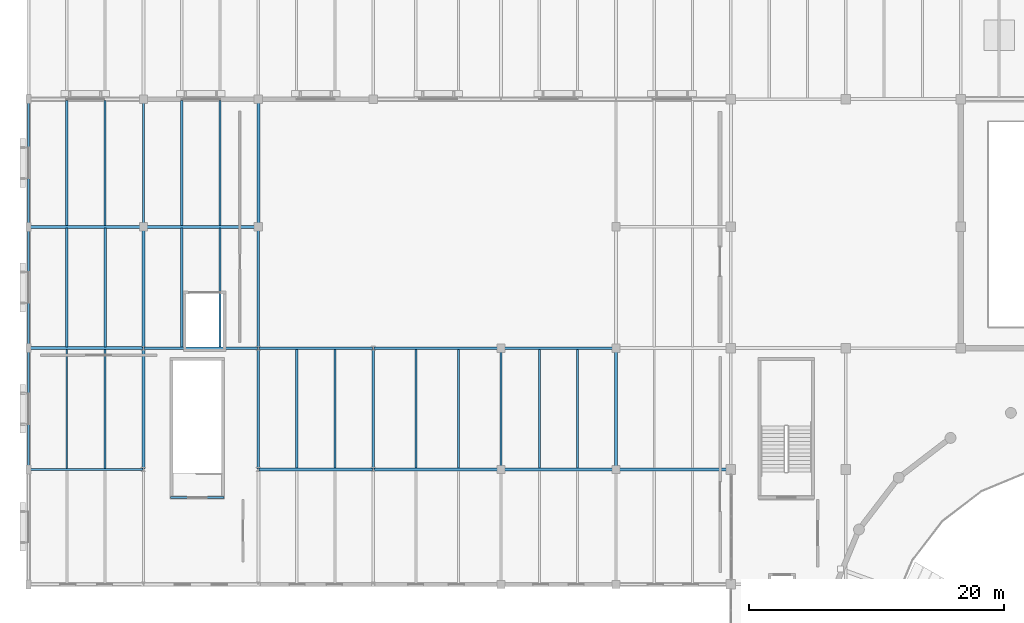
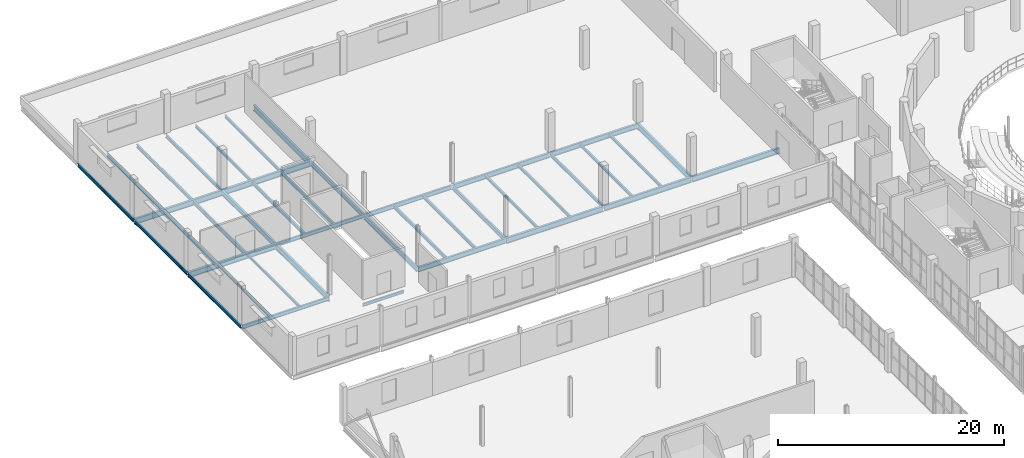
# One storey, part 38 of 85: 41 beams.
"""IFC4 building model written with IfcOpenShell, lengths in metres."""

import ifcopenshell
import ifcopenshell.guid

model = None  # the IFC model being written
_history = None  # IfcOwnerHistory: only IFC2X3 demands one
_inside = {}  # id of a spatial element -> (the spatial element, [elements in it])
_under = {}  # id of a project, library or spatial element -> (it, [spatial elements below it])
_declared = {}  # id of a project -> (the project, [libraries it declares])
_typed = {}  # id of a type object -> (the type object, [elements of that type])
_made_of = {}  # id of a material, layer set ... -> (it, [elements and type objects made of it])


def new_model(schema):
    """Start an empty IFC model of exactly this schema.

    Asked for "IFC4X3", IfcOpenShell would pick the latest addendum, in which some entities
    have other attributes; the version numbers below select the first issue.
    IFC2X3 requires an IfcOwnerHistory on every rooted entity: one is made here for all.
    """
    global model, _history
    if schema == "IFC4X3":
        model = ifcopenshell.file(schema_version=(4, 3, 0, 0))
    else:
        model = ifcopenshell.file(schema=schema)
    _inside.clear()
    _under.clear()
    _declared.clear()
    _typed.clear()
    _made_of.clear()
    _history = None
    if model.schema == "IFC2X3":
        org = make("IfcOrganization", Name="unknown")
        user = make(
            "IfcPersonAndOrganization",
            ThePerson=make("IfcPerson", FamilyName="unknown"),
            TheOrganization=org,
        )
        app = make(
            "IfcApplication",
            ApplicationDeveloper=org,
            Version="unknown",
            ApplicationFullName="unknown",
            ApplicationIdentifier="unknown",
        )
        _history = make(
            "IfcOwnerHistory",
            OwningUser=user,
            OwningApplication=app,
            ChangeAction="ADDED",
            CreationDate=0,
        )
    return model


def make(cls, **values):
    """One entity of the class cls with the attributes given. An attribute that is None is left unset."""
    return model.create_entity(
        cls, **{name: value for name, value in values.items() if value is not None}
    )


def rooted(cls, **values):
    """An entity with a GlobalId (a new one), such as an element, a storey or a relation."""
    return make(cls, GlobalId=ifcopenshell.guid.new(), OwnerHistory=_history, **values)


def si_unit(unit_type, name, prefix=None):
    """IfcSIUnit, for example si_unit("LENGTHUNIT", "METRE", prefix="MILLI")."""
    return make("IfcSIUnit", UnitType=unit_type, Prefix=prefix, Name=name)


def assignment(units):
    """IfcUnitAssignment: the units of a project."""
    return None if units is None else make("IfcUnitAssignment", Units=units)


def point(xyz):
    """IfcCartesianPoint."""
    return None if xyz is None else make("IfcCartesianPoint", Coordinates=xyz)


def direction(xyz):
    """IfcDirection."""
    return None if xyz is None else make("IfcDirection", DirectionRatios=xyz)


def frame(location, z_axis=None, x_axis=None):
    """IfcAxis2Placement3D, a coordinate frame: its origin and axes. An axis left out is left unset."""
    return make(
        "IfcAxis2Placement3D",
        Location=point(location),
        Axis=direction(z_axis),
        RefDirection=direction(x_axis),
    )


def frame_2d(location, x_axis=None):
    """IfcAxis2Placement2D, a coordinate frame in the plane: its origin and x axis."""
    return make(
        "IfcAxis2Placement2D", Location=point(location), RefDirection=direction(x_axis)
    )


def origin():
    """The frame at (0, 0, 0) with its axes left unset."""
    return frame((0.0, 0.0, 0.0))


def origin_2d():
    """The frame at (0, 0) in the plane with its x axis left unset."""
    return frame_2d((0.0, 0.0))


def place(relative_to, where):
    """IfcLocalPlacement: puts the frame where relative to a parent placement (None: the world)."""
    return make(
        "IfcLocalPlacement", PlacementRelTo=relative_to, RelativePlacement=where
    )


def context(
    kind, dimensions, precision=None, world=None, true_north=None, identifier=None
):
    """IfcGeometricRepresentationContext, for example the 3D "Model" context."""
    return make(
        "IfcGeometricRepresentationContext",
        ContextIdentifier=identifier,
        ContextType=kind,
        CoordinateSpaceDimension=dimensions,
        Precision=precision,
        WorldCoordinateSystem=world,
        TrueNorth=true_north,
    )


def subcontext(parent, identifier, kind, view, scale=None):
    """IfcGeometricRepresentationSubContext, for example "Body" below "Model"."""
    return make(
        "IfcGeometricRepresentationSubContext",
        ContextIdentifier=identifier,
        ContextType=kind,
        ParentContext=parent,
        TargetScale=scale,
        TargetView=view,
    )


def project(units=None, contexts=None):
    """IfcProject with its units and contexts."""
    return rooted(
        "IfcProject",
        Name="project",
        RepresentationContexts=contexts,
        UnitsInContext=assignment(units),
    )


def spatial(cls, under=None, at=None, **own):
    """A site, building, storey or space (cls), placed at a placement, below another one or the project."""
    s = rooted(cls, ObjectPlacement=at, **own)
    if under is not None:
        _under.setdefault(under.id(), (under, []))[1].append(s)
    return s


def profile(cls, at=None, kind="AREA", **sizes):
    """A parametric profile (cls). Its sizes go by their IFC names, for example OverallWidth=200.0."""
    return make(cls, ProfileType=kind, Position=at, **sizes)


def i_section(**sizes):
    """IfcIShapeProfileDef."""
    return profile("IfcIShapeProfileDef", **sizes)


def extrude(swept, where, along, depth):
    """IfcExtrudedAreaSolid: the profile swept, set in the frame where, extruded along a direction by depth."""
    return make(
        "IfcExtrudedAreaSolid",
        SweptArea=swept,
        Position=where,
        ExtrudedDirection=direction(along),
        Depth=depth,
    )


def shape(context_of_items, identifier, shape_type, items):
    """IfcShapeRepresentation: the items that make up one representation, for example the "Body"."""
    return make(
        "IfcShapeRepresentation",
        ContextOfItems=context_of_items,
        RepresentationIdentifier=identifier,
        RepresentationType=shape_type,
        Items=items,
    )


def material(Name=None, Category=None):
    """IfcMaterial."""
    return make("IfcMaterial", Name=Name, Category=Category)


def material_profile(
    of_material, cross_section, Name=None, Category=None, Priority=None
):
    """IfcMaterialProfile: a cross section and its material."""
    return make(
        "IfcMaterialProfile",
        Name=Name,
        Material=of_material,
        Profile=cross_section,
        Priority=Priority,
        Category=Category,
    )


def profile_set(profiles, Name=None, composite=None):
    """IfcMaterialProfileSet."""
    return make(
        "IfcMaterialProfileSet",
        Name=Name,
        MaterialProfiles=profiles,
        CompositeProfile=composite,
    )


def made_of(thing, what):
    """Note that an element or type object is made of a material, layer set ...; save() writes the relation."""
    if what is not None:
        _made_of.setdefault(what.id(), (what, []))[1].append(thing)
    return thing


def type_object(cls, material=None, **own):
    """A type object (cls), such as IfcWallType, which elements share."""
    return made_of(rooted(cls, **own), material)


def element(
    cls,
    number,
    at=None,
    inside=None,
    cuts=None,
    type_object=None,
    material=None,
    context=None,
    identifier="Body",
    shape_type=None,
    held_by="IfcProductDefinitionShape",
    body=None,
    shapes=None,
    **own,
):
    """One element of the class cls, such as IfcWall. Its Tag is "e" and its number.

    at: its placement. inside: the storey or other place that contains it. cuts: it is an
    opening in that element (IfcRelVoidsElement). A single representation is given by context,
    identifier, shape_type and body (its items); several are given by shapes. held_by: the class
    of the entity that holds the representations. save() writes the other relations.
    """
    e = rooted(cls, Tag="e%d" % number, ObjectPlacement=at, **own)
    if body is not None:
        shapes = [shape(context, identifier, shape_type, body)]
    if shapes is not None:
        e.Representation = make(held_by, Representations=shapes)
    if inside is not None:
        _inside.setdefault(inside.id(), (inside, []))[1].append(e)
    if cuts is not None:
        rooted(
            "IfcRelVoidsElement", RelatingBuildingElement=cuts, RelatedOpeningElement=e
        )
    if type_object is not None:
        _typed.setdefault(type_object.id(), (type_object, []))[1].append(e)
    return made_of(e, material)


def aggregate(whole, parts):
    """IfcRelAggregates: a whole, such as a stair, and the parts it consists of."""
    return rooted("IfcRelAggregates", RelatingObject=whole, RelatedObjects=parts)


def save(model, path):
    """Write the relations noted so far, then the file.

    IfcRelAggregates (storeys below a building ...), IfcRelContainedInSpatialStructure (elements
    in a storey), IfcRelDefinesByType, IfcRelAssociatesMaterial and IfcRelDeclares: one each for
    every whole, place, type object, material and project.
    """
    for whole, parts in _under.values():
        aggregate(whole, parts)
    for where, things in _inside.values():
        rooted(
            "IfcRelContainedInSpatialStructure",
            RelatedElements=things,
            RelatingStructure=where,
        )
    for kind, things in _typed.values():
        rooted("IfcRelDefinesByType", RelatedObjects=things, RelatingType=kind)
    for what, things in _made_of.values():
        rooted("IfcRelAssociatesMaterial", RelatedObjects=things, RelatingMaterial=what)
    for by, libraries in _declared.values():
        rooted("IfcRelDeclares", RelatingContext=by, RelatedDefinitions=libraries)
    model.write(path)


model = new_model("IFC4")

# Units and contexts
model_context = context("Model", 3, precision=1e-05, world=origin(), true_north=direction((0.0, 1.0)))
body_context = subcontext(model_context, "Body", "Model", "MODEL_VIEW")
ifc_project = project(units=[si_unit("LENGTHUNIT", "METRE"), si_unit("AREAUNIT", "SQUARE_METRE"), si_unit("VOLUMEUNIT", "CUBIC_METRE"), si_unit("PLANEANGLEUNIT", "RADIAN"), si_unit("MASSUNIT", "GRAM", prefix="KILO")], contexts=[model_context])

# Site, building, storey
site_placement = place(None, origin())
site = spatial("IfcSite", under=ifc_project, at=site_placement, CompositionType="ELEMENT")
building_placement = place(site_placement, origin())
building = spatial("IfcBuilding", under=site, at=building_placement, Name="Marnock Terrace Opera House", CompositionType="ELEMENT")
storey_placement = place(building_placement, frame((0.0, 0.0, 10.199951171875)))
storey = spatial("IfcBuildingStorey", under=building, at=storey_placement, Name="L02", CompositionType="ELEMENT", Elevation=10.199951171875)

# Beams
ifc_material = material(Name="Steel Grade 350 (AS/NZS 3679.1)", Category="steel")
ifc_material_profile_1 = material_profile(ifc_material, i_section(OverallWidth=0.1708984375, OverallDepth=0.355712890625, WebThickness=0.00732421875, FlangeThickness=0.011474609375, FilletRadius=0.011474609375, at=origin_2d()))
ifc_profile_set_1 = profile_set([ifc_material_profile_1], Name="Steel Grade 350 (AS/NZS 3679.1)")
beam_type_1 = type_object("IfcBeamType", Name="BM-GIRD-360", PredefinedType="BEAM", material=ifc_profile_set_1)
beam_1_placement = place(storey_placement, frame((9.0, 94.050048828125, -0.437744140625), z_axis=(0.0, 1.0, 0.0), x_axis=(-1.0, 0.0, 0.0)))
element("IfcBeam", 1, at=beam_1_placement, inside=storey, type_object=beam_type_1, Name="L02 girder (X=9.0, 94.0..104.0)", PredefinedType="BEAM", context=body_context, shape_type="SweptSolid", body=[
    extrude(i_section(OverallWidth=0.1708984375, OverallDepth=0.355712890625, WebThickness=0.00732421875, FlangeThickness=0.011474609375, FilletRadius=0.011474609375, at=origin_2d()), origin(), (0.0, 0.0, 1.0), 9.89990234375),
])
beam_2_placement = place(storey_placement, frame((37.0, 75.050048828125, -0.437744140625), z_axis=(0.0, 1.0, 0.0), x_axis=(-1.0, 0.0, 0.0)))
element("IfcBeam", 2, at=beam_2_placement, inside=storey, type_object=beam_type_1, Name="L02 girder (X=37.0, 75.0..84.5)", PredefinedType="BEAM", context=body_context, shape_type="SweptSolid", body=[
    extrude(i_section(OverallWidth=0.1708984375, OverallDepth=0.355712890625, WebThickness=0.00732421875, FlangeThickness=0.011474609375, FilletRadius=0.011474609375, at=origin_2d()), origin(), (0.0, 0.0, 1.0), 9.39990234375),
])
ifc_material_profile_2 = material_profile(ifc_material, i_section(OverallWidth=0.177978515625, OverallDepth=0.402587890625, WebThickness=0.007568359375, FlangeThickness=0.010986328125, FilletRadius=0.011474609375, at=origin_2d()))
ifc_profile_set_2 = profile_set([ifc_material_profile_2], Name="Steel Grade 350 (AS/NZS 3679.1)")
beam_type_2 = type_object("IfcBeamType", Name="BM-GIRD-410", PredefinedType="BEAM", material=ifc_profile_set_2)
for number, where, z_axis, x_axis, name in (
    (3, (0.050048828125, 75.0, -0.461181640625), (1.0, 0.0, 0.0), (0.0, 1.0, 0.0), "L02 girder (0.0..9.0, Y=75.0)"),
    (4, (9.050048828125, 84.5, -0.461181640625), (1.0, 0.0, 0.0), (0.0, 1.0, 0.0), "L02 girder (9.0..18.0, Y=84.5)"),
):
    element("IfcBeam", number, at=place(storey_placement, frame(where, z_axis=z_axis, x_axis=x_axis)), inside=storey, type_object=beam_type_2, Name=name, PredefinedType="BEAM", context=body_context, shape_type="SweptSolid", body=[
        extrude(i_section(OverallWidth=0.177978515625, OverallDepth=0.402587890625, WebThickness=0.007568359375, FlangeThickness=0.010986328125, FilletRadius=0.011474609375, at=origin_2d()), origin(), (0.0, 0.0, 1.0), 8.89990234375),
    ])
ifc_material_profile_3 = material_profile(ifc_material, i_section(OverallWidth=0.19091796875, OverallDepth=0.46044921875, WebThickness=0.010009765625, FlangeThickness=0.01611328125, FilletRadius=0.011474609375, at=origin_2d()))
ifc_profile_set_3 = profile_set([ifc_material_profile_3], Name="Steel Grade 350 (AS/NZS 3679.1)")
beam_type_3 = type_object("IfcBeamType", Name="BM-GIRD-460A", PredefinedType="BEAM", material=ifc_profile_set_3)
beam_3_placement = place(storey_placement, frame((18.050048828125, 84.5, -0.490234375), z_axis=(1.0, 0.0, 0.0), x_axis=(0.0, 1.0, 0.0)))
element("IfcBeam", 5, at=beam_3_placement, inside=storey, type_object=beam_type_3, Name="L02 girder (18.0..27.0, Y=84.5)", PredefinedType="BEAM", context=body_context, shape_type="SweptSolid", body=[
    extrude(i_section(OverallWidth=0.19091796875, OverallDepth=0.46044921875, WebThickness=0.010009765625, FlangeThickness=0.01611328125, FilletRadius=0.011474609375, at=origin_2d()), origin(), (0.0, 0.0, 1.0), 8.89990234375),
])
ifc_material_profile_4 = material_profile(ifc_material, i_section(OverallWidth=0.18994140625, OverallDepth=0.45751953125, WebThickness=0.009033203125, FlangeThickness=0.014404296875, FilletRadius=0.011474609375, at=origin_2d()))
ifc_profile_set_4 = profile_set([ifc_material_profile_4], Name="Steel Grade 350 (AS/NZS 3679.1)")
beam_type_4 = type_object("IfcBeamType", Name="BM-GIRD-460B", PredefinedType="BEAM", material=ifc_profile_set_4)
for number, where, z_axis, x_axis, name in (
    (6, (18.0, 84.550048828125, -0.48876953125), (0.0, 1.0, 0.0), (-1.0, 0.0, 0.0), "L02 girder (X=18.0, 84.5..94.0)"),
    (7, (27.0, 75.050048828125, -0.48876953125), (0.0, 1.0, 0.0), (-1.0, 0.0, 0.0), "L02 girder (X=27.0, 75.0..84.5)"),
):
    element("IfcBeam", number, at=place(storey_placement, frame(where, z_axis=z_axis, x_axis=x_axis)), inside=storey, type_object=beam_type_4, Name=name, PredefinedType="BEAM", context=body_context, shape_type="SweptSolid", body=[
        extrude(i_section(OverallWidth=0.18994140625, OverallDepth=0.45751953125, WebThickness=0.009033203125, FlangeThickness=0.014404296875, FilletRadius=0.011474609375, at=origin_2d()), origin(), (0.0, 0.0, 1.0), 9.39990234375),
    ])
ifc_material_profile_5 = material_profile(ifc_material, i_section(OverallWidth=0.208984375, OverallDepth=0.532958984375, WebThickness=0.01025390625, FlangeThickness=0.015625, FilletRadius=0.013916015625, at=origin_2d()))
ifc_profile_set_5 = profile_set([ifc_material_profile_5], Name="Steel Grade 350 (AS/NZS 3679.1)")
beam_type_5 = type_object("IfcBeamType", Name="BM-GIRD-530A", PredefinedType="BEAM", material=ifc_profile_set_5)
beam_4_placement = place(storey_placement, frame((18.050048828125, 75.0, -0.5263671875), z_axis=(1.0, 0.0, 0.0), x_axis=(0.0, 1.0, 0.0)))
element("IfcBeam", 8, at=beam_4_placement, inside=storey, type_object=beam_type_5, Name="L02 girder (18.0..27.0, Y=75.0)", PredefinedType="BEAM", context=body_context, shape_type="SweptSolid", body=[
    extrude(i_section(OverallWidth=0.208984375, OverallDepth=0.532958984375, WebThickness=0.01025390625, FlangeThickness=0.015625, FilletRadius=0.013916015625, at=origin_2d()), origin(), (0.0, 0.0, 1.0), 8.89990234375),
])
beam_5_placement = place(storey_placement, frame((27.050048828125, 84.5, -0.5263671875), z_axis=(1.0, 0.0, 0.0), x_axis=(0.0, 1.0, 0.0)))
element("IfcBeam", 9, at=beam_5_placement, inside=storey, type_object=beam_type_5, Name="L02 girder (27.0..37.0, Y=84.5)", PredefinedType="BEAM", context=body_context, shape_type="SweptSolid", body=[
    extrude(i_section(OverallWidth=0.208984375, OverallDepth=0.532958984375, WebThickness=0.01025390625, FlangeThickness=0.015625, FilletRadius=0.013916015625, at=origin_2d()), origin(), (0.0, 0.0, 1.0), 9.89990234375),
])
beam_6_placement = place(storey_placement, frame((37.050048828125, 84.5, -0.5263671875), z_axis=(1.0, 0.0, 0.0), x_axis=(0.0, 1.0, 0.0)))
element("IfcBeam", 10, at=beam_6_placement, inside=storey, type_object=beam_type_5, Name="L02 girder (37.0..46.0, Y=84.5)", PredefinedType="BEAM", context=body_context, shape_type="SweptSolid", body=[
    extrude(i_section(OverallWidth=0.208984375, OverallDepth=0.532958984375, WebThickness=0.01025390625, FlangeThickness=0.015625, FilletRadius=0.013916015625, at=origin_2d()), origin(), (0.0, 0.0, 1.0), 8.89990234375),
])
ifc_material_profile_6 = material_profile(ifc_material, i_section(OverallWidth=0.208984375, OverallDepth=0.528076171875, WebThickness=0.009521484375, FlangeThickness=0.01318359375, FilletRadius=0.013916015625, at=origin_2d()))
ifc_profile_set_6 = profile_set([ifc_material_profile_6], Name="Steel Grade 350 (AS/NZS 3679.1)")
beam_type_6 = type_object("IfcBeamType", Name="BM-GIRD-530B", PredefinedType="BEAM", material=ifc_profile_set_6)
for number, where, z_axis, x_axis, name in (
    (11, (9.0, 84.550048828125, -0.52392578125), (0.0, 1.0, 0.0), (-1.0, 0.0, 0.0), "L02 girder (X=9.0, 84.5..94.0)"),
    (12, (18.0, 75.050048828125, -0.52392578125), (0.0, 1.0, 0.0), (-1.0, 0.0, 0.0), "L02 girder (X=18.0, 75.0..84.5)"),
):
    element("IfcBeam", number, at=place(storey_placement, frame(where, z_axis=z_axis, x_axis=x_axis)), inside=storey, type_object=beam_type_6, Name=name, PredefinedType="BEAM", context=body_context, shape_type="SweptSolid", body=[
        extrude(i_section(OverallWidth=0.208984375, OverallDepth=0.528076171875, WebThickness=0.009521484375, FlangeThickness=0.01318359375, FilletRadius=0.013916015625, at=origin_2d()), origin(), (0.0, 0.0, 1.0), 9.39990234375),
    ])
ifc_material_profile_7 = material_profile(ifc_material, i_section(OverallWidth=0.22900390625, OverallDepth=0.611572265625, WebThickness=0.011962890625, FlangeThickness=0.01953125, FilletRadius=0.013916015625, at=origin_2d()))
ifc_profile_set_7 = profile_set([ifc_material_profile_7], Name="Steel Grade 350 (AS/NZS 3679.1)")
beam_type_7 = type_object("IfcBeamType", Name="BM-GIRD-610A", PredefinedType="BEAM", material=ifc_profile_set_7)
for number, where, z_axis, x_axis, name in (
    (13, (46.050048828125, 75.0, -0.565673828125), (1.0, 0.0, 0.0), (0.0, 1.0, 0.0), "L02 girder (46.0..55.0, Y=75.0)"),
    (14, (0.050048828125, 84.5, -0.565673828125), (1.0, 0.0, 0.0), (0.0, 1.0, 0.0), "L02 girder (0.0..9.0, Y=84.5)"),
    (15, (9.050048828125, 94.0, -0.565673828125), (1.0, 0.0, 0.0), (0.0, 1.0, 0.0), "L02 girder (9.0..18.0, Y=94.0)"),
):
    element("IfcBeam", number, at=place(storey_placement, frame(where, z_axis=z_axis, x_axis=x_axis)), inside=storey, type_object=beam_type_7, Name=name, PredefinedType="BEAM", context=body_context, shape_type="SweptSolid", body=[
        extrude(i_section(OverallWidth=0.22900390625, OverallDepth=0.611572265625, WebThickness=0.011962890625, FlangeThickness=0.01953125, FilletRadius=0.013916015625, at=origin_2d()), origin(), (0.0, 0.0, 1.0), 8.89990234375),
    ])
ifc_material_profile_8 = material_profile(ifc_material, i_section(OverallWidth=0.22802734375, OverallDepth=0.60693359375, WebThickness=0.01123046875, FlangeThickness=0.017333984375, FilletRadius=0.013916015625, at=origin_2d()))
ifc_profile_set_8 = profile_set([ifc_material_profile_8], Name="Steel Grade 350 (AS/NZS 3679.1)")
beam_type_8 = type_object("IfcBeamType", Name="BM-GIRD-610B", PredefinedType="BEAM", material=ifc_profile_set_8)
beam_7_placement = place(storey_placement, frame((27.050048828125, 75.0, -0.5634765625), z_axis=(1.0, 0.0, 0.0), x_axis=(0.0, 1.0, 0.0)))
element("IfcBeam", 16, at=beam_7_placement, inside=storey, type_object=beam_type_8, Name="L02 girder (27.0..37.0, Y=75.0)", PredefinedType="BEAM", context=body_context, shape_type="SweptSolid", body=[
    extrude(i_section(OverallWidth=0.22802734375, OverallDepth=0.60693359375, WebThickness=0.01123046875, FlangeThickness=0.017333984375, FilletRadius=0.013916015625, at=origin_2d()), origin(), (0.0, 0.0, 1.0), 9.89990234375),
])
for number, where, z_axis, x_axis, name in (
    (17, (37.050048828125, 75.0, -0.5634765625), (1.0, 0.0, 0.0), (0.0, 1.0, 0.0), "L02 girder (37.0..46.0, Y=75.0)"),
    (18, (0.050048828125, 94.0, -0.5634765625), (1.0, 0.0, 0.0), (0.0, 1.0, 0.0), "L02 girder (0.0..9.0, Y=94.0)"),
):
    element("IfcBeam", number, at=place(storey_placement, frame(where, z_axis=z_axis, x_axis=x_axis)), inside=storey, type_object=beam_type_8, Name=name, PredefinedType="BEAM", context=body_context, shape_type="SweptSolid", body=[
        extrude(i_section(OverallWidth=0.22802734375, OverallDepth=0.60693359375, WebThickness=0.01123046875, FlangeThickness=0.017333984375, FilletRadius=0.013916015625, at=origin_2d()), origin(), (0.0, 0.0, 1.0), 8.89990234375),
    ])
ifc_material_profile_9 = material_profile(ifc_material, i_section(OverallWidth=0.22802734375, OverallDepth=0.60205078125, WebThickness=0.010498046875, FlangeThickness=0.014892578125, FilletRadius=0.013916015625, at=origin_2d()))
ifc_profile_set_9 = profile_set([ifc_material_profile_9], Name="Steel Grade 350 (AS/NZS 3679.1)")
beam_type_9 = type_object("IfcBeamType", Name="BM-GIRD-610C", PredefinedType="BEAM", material=ifc_profile_set_9)
beam_8_placement = place(storey_placement, frame((9.0, 75.050048828125, -0.56103515625), z_axis=(0.0, 1.0, 0.0), x_axis=(-1.0, 0.0, 0.0)))
element("IfcBeam", 19, at=beam_8_placement, inside=storey, type_object=beam_type_9, Name="L02 girder (X=9.0, 75.0..84.5)", PredefinedType="BEAM", context=body_context, shape_type="SweptSolid", body=[
    extrude(i_section(OverallWidth=0.22802734375, OverallDepth=0.60205078125, WebThickness=0.010498046875, FlangeThickness=0.014892578125, FilletRadius=0.013916015625, at=origin_2d()), origin(), (0.0, 0.0, 1.0), 9.39990234375),
])
beam_9_placement = place(storey_placement, frame((18.0, 94.050048828125, -0.56103515625), z_axis=(0.0, 1.0, 0.0), x_axis=(-1.0, 0.0, 0.0)))
element("IfcBeam", 20, at=beam_9_placement, inside=storey, type_object=beam_type_9, Name="L02 girder (X=18.0, 94.0..104.0)", PredefinedType="BEAM", context=body_context, shape_type="SweptSolid", body=[
    extrude(i_section(OverallWidth=0.22802734375, OverallDepth=0.60205078125, WebThickness=0.010498046875, FlangeThickness=0.014892578125, FilletRadius=0.013916015625, at=origin_2d()), origin(), (0.0, 0.0, 1.0), 9.89990234375),
])
beam_10_placement = place(storey_placement, frame((46.0, 75.050048828125, -0.56103515625), z_axis=(0.0, 1.0, 0.0), x_axis=(-1.0, 0.0, 0.0)))
element("IfcBeam", 21, at=beam_10_placement, inside=storey, type_object=beam_type_9, Name="L02 girder (X=46.0, 75.0..84.5)", PredefinedType="BEAM", context=body_context, shape_type="SweptSolid", body=[
    extrude(i_section(OverallWidth=0.22802734375, OverallDepth=0.60205078125, WebThickness=0.010498046875, FlangeThickness=0.014892578125, FilletRadius=0.013916015625, at=origin_2d()), origin(), (0.0, 0.0, 1.0), 9.39990234375),
])
ifc_material_profile_10 = material_profile(ifc_material, i_section(OverallWidth=0.14599609375, OverallDepth=0.256103515625, WebThickness=0.00634765625, FlangeThickness=0.010986328125, FilletRadius=0.0087890625, at=origin_2d()))
ifc_profile_set_10 = profile_set([ifc_material_profile_10], Name="Steel Grade 350 (AS/NZS 3679.1)")
beam_type_10 = type_object("IfcBeamType", Name="BM-JOIST-250", PredefinedType="JOIST", material=ifc_profile_set_10)
for number, where, z_axis, x_axis, name in (
    (22, (3.0, 75.083984375, -0.387939453125), (0.0, 1.0, 0.0), (-1.0, 0.0, 0.0), "L02 secondary joist 0.9.1"),
    (23, (6.0, 75.083984375, -0.387939453125), (0.0, 1.0, 0.0), (-1.0, 0.0, 0.0), "L02 secondary joist 0.9.2"),
):
    element("IfcBeam", number, at=place(storey_placement, frame(where, z_axis=z_axis, x_axis=x_axis)), inside=storey, type_object=beam_type_10, Name=name, PredefinedType="JOIST", context=body_context, shape_type="SweptSolid", body=[
        extrude(i_section(OverallWidth=0.14599609375, OverallDepth=0.256103515625, WebThickness=0.00634765625, FlangeThickness=0.010986328125, FilletRadius=0.0087890625, at=origin_2d()), origin(), (0.0, 0.0, 1.0), 9.306396484375),
    ])
ifc_material_profile_11 = material_profile(ifc_material, i_section(OverallWidth=0.166015625, OverallDepth=0.30712890625, WebThickness=0.006591796875, FlangeThickness=0.01171875, FilletRadius=0.011474609375, at=origin_2d()))
ifc_profile_set_11 = profile_set([ifc_material_profile_11], Name="Steel Grade 350 (AS/NZS 3679.1)")
beam_type_11 = type_object("IfcBeamType", Name="BM-JOIST-310A", PredefinedType="JOIST", material=ifc_profile_set_11)
for number, where, z_axis, x_axis, name in (
    (24, (12.0, 94.109619140625, -0.41357421875), (0.0, 1.0, 0.0), (-1.0, 0.0, 0.0), "L02 secondary joist 1.11.1"),
    (25, (15.0, 94.109619140625, -0.41357421875), (0.0, 1.0, 0.0), (-1.0, 0.0, 0.0), "L02 secondary joist 1.11.2"),
):
    element("IfcBeam", number, at=place(storey_placement, frame(where, z_axis=z_axis, x_axis=x_axis)), inside=storey, type_object=beam_type_11, Name=name, PredefinedType="JOIST", context=body_context, shape_type="SweptSolid", body=[
        extrude(i_section(OverallWidth=0.166015625, OverallDepth=0.30712890625, WebThickness=0.006591796875, FlangeThickness=0.01171875, FilletRadius=0.011474609375, at=origin_2d()), origin(), (0.0, 0.0, 1.0), 9.781494140625),
    ])
for number, where, z_axis, x_axis, name in (
    (26, (30.333251953125, 75.10888671875, -0.41357421875), (0.0, 1.0, 0.0), (-1.0, 0.0, 0.0), "L02 secondary joist 3.9.1"),
    (27, (33.666748046875, 75.10888671875, -0.41357421875), (0.0, 1.0, 0.0), (-1.0, 0.0, 0.0), "L02 secondary joist 3.9.2"),
):
    element("IfcBeam", number, at=place(storey_placement, frame(where, z_axis=z_axis, x_axis=x_axis)), inside=storey, type_object=beam_type_11, Name=name, PredefinedType="JOIST", context=body_context, shape_type="SweptSolid", body=[
        extrude(i_section(OverallWidth=0.166015625, OverallDepth=0.30712890625, WebThickness=0.006591796875, FlangeThickness=0.01171875, FilletRadius=0.011474609375, at=origin_2d()), origin(), (0.0, 0.0, 1.0), 9.29150390625),
    ])
ifc_material_profile_12 = material_profile(ifc_material, i_section(OverallWidth=0.1650390625, OverallDepth=0.3037109375, WebThickness=0.006103515625, FlangeThickness=0.01025390625, FilletRadius=0.011474609375, at=origin_2d()))
ifc_profile_set_12 = profile_set([ifc_material_profile_12], Name="Steel Grade 350 (AS/NZS 3679.1)")
beam_type_12 = type_object("IfcBeamType", Name="BM-JOIST-310B", PredefinedType="JOIST", material=ifc_profile_set_12)
for number, where, z_axis, x_axis, name in (
    (28, (40.0, 75.10888671875, -0.411865234375), (0.0, 1.0, 0.0), (-1.0, 0.0, 0.0), "L02 secondary joist 4.9.1"),
    (29, (43.0, 75.10888671875, -0.411865234375), (0.0, 1.0, 0.0), (-1.0, 0.0, 0.0), "L02 secondary joist 4.9.2"),
):
    element("IfcBeam", number, at=place(storey_placement, frame(where, z_axis=z_axis, x_axis=x_axis)), inside=storey, type_object=beam_type_12, Name=name, PredefinedType="JOIST", context=body_context, shape_type="SweptSolid", body=[
        extrude(i_section(OverallWidth=0.1650390625, OverallDepth=0.3037109375, WebThickness=0.006103515625, FlangeThickness=0.01025390625, FilletRadius=0.011474609375, at=origin_2d()), origin(), (0.0, 0.0, 1.0), 9.29150390625),
    ])
ifc_material_profile_13 = material_profile(ifc_material, i_section(OverallWidth=0.172119140625, OverallDepth=0.358642578125, WebThickness=0.008056640625, FlangeThickness=0.012939453125, FilletRadius=0.011474609375, at=origin_2d()))
ifc_profile_set_13 = profile_set([ifc_material_profile_13], Name="Steel Grade 350 (AS/NZS 3679.1)")
beam_type_13 = type_object("IfcBeamType", Name="BM-JOIST-360", PredefinedType="JOIST", material=ifc_profile_set_13)
for number, where, z_axis, x_axis, name in (
    (30, (3.0, 94.10888671875, -0.439208984375), (0.0, 1.0, 0.0), (-1.0, 0.0, 0.0), "L02 secondary joist 0.11.1"),
    (31, (6.0, 94.10888671875, -0.439208984375), (0.0, 1.0, 0.0), (-1.0, 0.0, 0.0), "L02 secondary joist 0.11.2"),
):
    element("IfcBeam", number, at=place(storey_placement, frame(where, z_axis=z_axis, x_axis=x_axis)), inside=storey, type_object=beam_type_13, Name=name, PredefinedType="JOIST", context=body_context, shape_type="SweptSolid", body=[
        extrude(i_section(OverallWidth=0.172119140625, OverallDepth=0.358642578125, WebThickness=0.008056640625, FlangeThickness=0.012939453125, FilletRadius=0.011474609375, at=origin_2d()), origin(), (0.0, 0.0, 1.0), 9.79150390625),
    ])
for number, where, z_axis, x_axis, name in (
    (32, (12.0, 84.583984375, -0.439208984375), (0.0, 1.0, 0.0), (-1.0, 0.0, 0.0), "L02 secondary joist 1.10.1"),
    (33, (15.0, 84.583984375, -0.439208984375), (0.0, 1.0, 0.0), (-1.0, 0.0, 0.0), "L02 secondary joist 1.10.2"),
):
    element("IfcBeam", number, at=place(storey_placement, frame(where, z_axis=z_axis, x_axis=x_axis)), inside=storey, type_object=beam_type_13, Name=name, PredefinedType="JOIST", context=body_context, shape_type="SweptSolid", body=[
        extrude(i_section(OverallWidth=0.172119140625, OverallDepth=0.358642578125, WebThickness=0.008056640625, FlangeThickness=0.012939453125, FilletRadius=0.011474609375, at=origin_2d()), origin(), (0.0, 0.0, 1.0), 9.306396484375),
    ])
for number, where, z_axis, x_axis, name in (
    (34, (21.0, 75.099609375, -0.439208984375), (0.0, 1.0, 0.0), (-1.0, 0.0, 0.0), "L02 secondary joist 2.9.1"),
    (35, (24.0, 75.099609375, -0.439208984375), (0.0, 1.0, 0.0), (-1.0, 0.0, 0.0), "L02 secondary joist 2.9.2"),
):
    element("IfcBeam", number, at=place(storey_placement, frame(where, z_axis=z_axis, x_axis=x_axis)), inside=storey, type_object=beam_type_13, Name=name, PredefinedType="JOIST", context=body_context, shape_type="SweptSolid", body=[
        extrude(i_section(OverallWidth=0.172119140625, OverallDepth=0.358642578125, WebThickness=0.008056640625, FlangeThickness=0.012939453125, FilletRadius=0.011474609375, at=origin_2d()), origin(), (0.0, 0.0, 1.0), 9.309814453125),
    ])
ifc_material_profile_14 = material_profile(ifc_material, i_section(OverallWidth=0.177978515625, OverallDepth=0.406494140625, WebThickness=0.0078125, FlangeThickness=0.0126953125, FilletRadius=0.011474609375, at=origin_2d()))
ifc_profile_set_14 = profile_set([ifc_material_profile_14], Name="Steel Grade 350 (AS/NZS 3679.1)")
beam_type_14 = type_object("IfcBeamType", Name="BM-JOIST-410", PredefinedType="JOIST", material=ifc_profile_set_14)
for number, where, z_axis, x_axis, name in (
    (36, (3.0, 84.609619140625, -0.463134765625), (0.0, 1.0, 0.0), (-1.0, 0.0, 0.0), "L02 secondary joist 0.10.1"),
    (37, (6.0, 84.609619140625, -0.463134765625), (0.0, 1.0, 0.0), (-1.0, 0.0, 0.0), "L02 secondary joist 0.10.2"),
):
    element("IfcBeam", number, at=place(storey_placement, frame(where, z_axis=z_axis, x_axis=x_axis)), inside=storey, type_object=beam_type_14, Name=name, PredefinedType="JOIST", context=body_context, shape_type="SweptSolid", body=[
        extrude(i_section(OverallWidth=0.177978515625, OverallDepth=0.406494140625, WebThickness=0.0078125, FlangeThickness=0.0126953125, FilletRadius=0.011474609375, at=origin_2d()), origin(), (0.0, 0.0, 1.0), 9.281494140625),
    ])
ifc_material_profile_15 = material_profile(ifc_material, i_section(OverallWidth=0.166015625, OverallDepth=0.30712890625, WebThickness=0.006591796875, FlangeThickness=0.01171875, FilletRadius=0.011474609375, at=origin_2d()))
ifc_profile_set_15 = profile_set([ifc_material_profile_15], Name="Steel Grade 350 (AS/NZS 3679.1)")
beam_type_15 = type_object("IfcBeamType", Name="BM-LINT-310", PredefinedType="LINTEL", material=ifc_profile_set_15)
beam_11_placement = place(storey_placement, frame((11.1201171875, 72.800048828125, -0.60986328125), z_axis=(1.0, 0.0, 0.0), x_axis=(0.0, 1.0, 0.0)))
element("IfcBeam", 38, at=beam_11_placement, inside=storey, type_object=beam_type_15, Name="L01 Core C7 coupling lintel", PredefinedType="LINTEL", context=body_context, shape_type="SweptSolid", body=[
    extrude(i_section(OverallWidth=0.166015625, OverallDepth=0.30712890625, WebThickness=0.006591796875, FlangeThickness=0.01171875, FilletRadius=0.011474609375, at=origin_2d()), origin(), (0.0, 0.0, 1.0), 4.199951171875),
])
ifc_material_profile_16 = material_profile(ifc_material, i_section(OverallWidth=0.172119140625, OverallDepth=0.358642578125, WebThickness=0.008056640625, FlangeThickness=0.012939453125, FilletRadius=0.011474609375, at=origin_2d()))
ifc_profile_set_16 = profile_set([ifc_material_profile_16], Name="Steel Grade 350 (AS/NZS 3679.1)")
beam_type_16 = type_object("IfcBeamType", Name="BM-SPAN-360", PredefinedType="SPANDREL", material=ifc_profile_set_16)
for number, where, z_axis, x_axis, name in (
    (39, (0.0, 75.050048828125, -0.439208984375), (0.0, 1.0, 0.0), (-1.0, 0.0, 0.0), "L02 girder (X=0.0, 75.0..84.5)"),
    (40, (0.0, 84.550048828125, -0.439208984375), (0.0, 1.0, 0.0), (-1.0, 0.0, 0.0), "L02 girder (X=0.0, 84.5..94.0)"),
):
    element("IfcBeam", number, at=place(storey_placement, frame(where, z_axis=z_axis, x_axis=x_axis)), inside=storey, type_object=beam_type_16, Name=name, PredefinedType="SPANDREL", context=body_context, shape_type="SweptSolid", body=[
        extrude(i_section(OverallWidth=0.172119140625, OverallDepth=0.358642578125, WebThickness=0.008056640625, FlangeThickness=0.012939453125, FilletRadius=0.011474609375, at=origin_2d()), origin(), (0.0, 0.0, 1.0), 9.39990234375),
    ])
beam_12_placement = place(storey_placement, frame((0.0, 94.050048828125, -0.439208984375), z_axis=(0.0, 1.0, 0.0), x_axis=(-1.0, 0.0, 0.0)))
element("IfcBeam", 41, at=beam_12_placement, inside=storey, type_object=beam_type_16, Name="L02 girder (X=0.0, 94.0..104.0)", PredefinedType="SPANDREL", context=body_context, shape_type="SweptSolid", body=[
    extrude(i_section(OverallWidth=0.172119140625, OverallDepth=0.358642578125, WebThickness=0.008056640625, FlangeThickness=0.012939453125, FilletRadius=0.011474609375, at=origin_2d()), origin(), (0.0, 0.0, 1.0), 9.89990234375),
])

save(model, "model.ifc")
